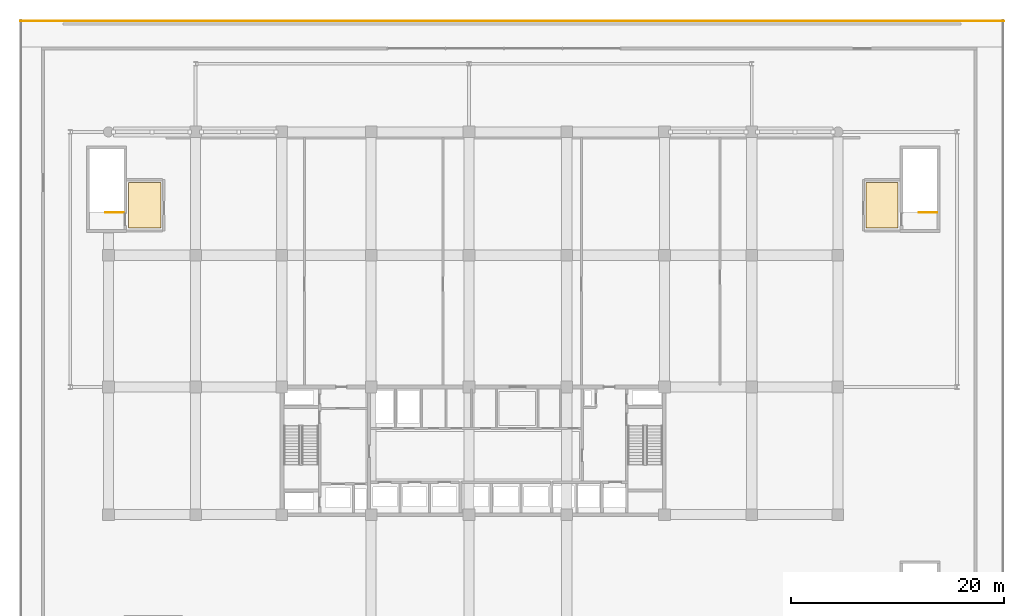
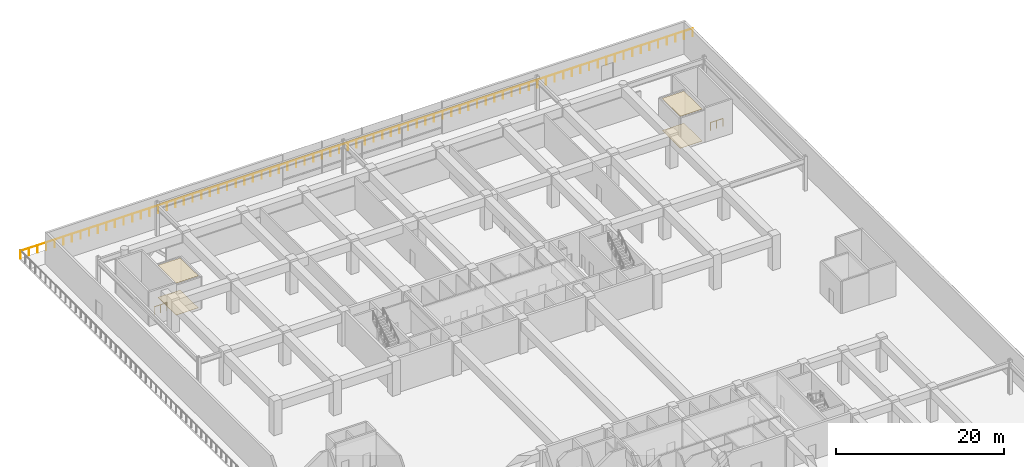
# One storey, part 38 of 38: 4 coverings, 3 railings.
"""IFC4 building model written with IfcOpenShell, lengths in metres."""

from ifc_helpers import new_model, si_unit, direction, frame, origin, origin_2d, place, context, subcontext, project, spatial, polyline, circle, outline, extrude, material, layer, layer_set, type_object, element, save


model = new_model("IFC4")

# Units and contexts
model_context = context("Model", 3, precision=1e-05, world=origin(), true_north=direction((0.0, 1.0)))
body_context = subcontext(model_context, "Body", "Model", "MODEL_VIEW")
ifc_project = project(units=[si_unit("LENGTHUNIT", "METRE"), si_unit("AREAUNIT", "SQUARE_METRE"), si_unit("VOLUMEUNIT", "CUBIC_METRE"), si_unit("PLANEANGLEUNIT", "RADIAN"), si_unit("MASSUNIT", "GRAM", prefix="KILO")], contexts=[model_context])

# Site, building, storey
site_placement = place(None, origin())
site = spatial("IfcSite", under=ifc_project, at=site_placement, CompositionType="ELEMENT")
building_placement = place(site_placement, origin())
building = spatial("IfcBuilding", under=site, at=building_placement, Name="Korimba Cascade Residences", CompositionType="ELEMENT")
storey_placement = place(building_placement, frame((0.0, 0.0, 19.0)))
storey = spatial("IfcBuildingStorey", under=building, at=storey_placement, Name="L04", CompositionType="ELEMENT", Elevation=19.0)

# Coverings
ifc_material_1 = material(Name="Perforated Acoustic Gypsum Ceiling", Category="gypsum")
ifc_layer_1 = layer(ifc_material_1, 0.02490234375)
ifc_layer_set_1 = layer_set([ifc_layer_1], Name="Perforated Acoustic Gypsum Ceiling")
covering_type_1 = type_object("IfcCoveringType", Name="COV-CLG-AC", PredefinedType="CEILING", material=ifc_layer_set_1)
covering_1_placement = place(storey_placement, frame((0.0, 0.0, 4.655029296875)))
element("IfcCovering", 1, at=covering_1_placement, inside=storey, type_object=covering_type_1, Name="L04 Suspended Acoustic Ceiling L04-PL4", PredefinedType="CEILING", context=body_context, shape_type="SweptSolid", body=[
    extrude(outline(polyline([(131.050048828125, 82.14990234375), (134.050048828125, 82.14990234375), (134.050048828125, 86.449951171875), (131.050048828125, 86.449951171875), (131.050048828125, 82.14990234375)])), origin(), (0.0, 0.0, 1.0), 0.02490234375),
])
covering_2_placement = place(storey_placement, frame((0.0, 0.0, 4.655029296875)))
element("IfcCovering", 2, at=covering_2_placement, inside=storey, type_object=covering_type_1, Name="L04 Suspended Acoustic Ceiling L04-PL5", PredefinedType="CEILING", context=body_context, shape_type="SweptSolid", body=[
    extrude(outline(polyline([(61.669921875, 82.14990234375), (64.75, 82.14990234375), (64.75, 86.449951171875), (61.669921875, 86.449951171875), (61.669921875, 82.14990234375)])), origin(), (0.0, 0.0, 1.0), 0.02490234375),
])
ifc_material_2 = material(Name="Honed Travertine Stone Flooring", Category="masonry")
ifc_layer_2 = layer(ifc_material_2, 0.02490234375)
ifc_layer_set_2 = layer_set([ifc_layer_2], Name="Honed Travertine Stone Flooring")
covering_type_2 = type_object("IfcCoveringType", Name="COV-FLR-STN", PredefinedType="FLOORING", material=ifc_layer_set_2)
covering_3_placement = place(storey_placement, origin())
element("IfcCovering", 3, at=covering_3_placement, inside=storey, type_object=covering_type_2, Name="L04 Honed Travertine Stone Flooring L04-PL4", PredefinedType="FLOORING", context=body_context, shape_type="SweptSolid", body=[
    extrude(outline(polyline([(131.050048828125, 82.14990234375), (134.050048828125, 82.14990234375), (134.050048828125, 86.449951171875), (131.050048828125, 86.449951171875), (131.050048828125, 82.14990234375)])), origin(), (0.0, 0.0, 1.0), 0.02490234375),
])
covering_4_placement = place(storey_placement, origin())
element("IfcCovering", 4, at=covering_4_placement, inside=storey, type_object=covering_type_2, Name="L04 Honed Travertine Stone Flooring L04-PL5", PredefinedType="FLOORING", context=body_context, shape_type="SweptSolid", body=[
    extrude(outline(polyline([(61.669921875, 82.14990234375), (64.75, 82.14990234375), (64.75, 86.449951171875), (61.669921875, 86.449951171875), (61.669921875, 82.14990234375)])), origin(), (0.0, 0.0, 1.0), 0.02490234375),
])

# Railings
ifc_material_3 = material(Name="Painted Steel Stairwell Guardrail", Category="steel")
railing_type_1 = type_object("IfcRailingType", Name="RLG-ST-GD1150", PredefinedType="GUARDRAIL", material=ifc_material_3)
for number, where, name in (
    (5, (137.739990234375, 83.60009765625, 0.0), "L04 ST-P4 top well guard 1"),
    (6, (61.239990234375, 83.60009765625, 0.0), "L04 ST-P5 top well guard 1"),
):
    element("IfcRailing", number, at=place(storey_placement, frame(where)), inside=storey, type_object=railing_type_1, Name=name, PredefinedType="GUARDRAIL", context=body_context, shape_type="SweptSolid", body=[
        extrude(circle(Radius=0.02392578125, at=origin_2d()), frame((0.0, 0.0, 1.1259765625), z_axis=(-1.0, 0.0, 0.0), x_axis=(0.0, -1.0, 0.0)), (0.0, 0.0, 1.0), 1.719970703125),
        extrude(circle(Radius=0.02099609375, at=origin_2d()), origin(), (0.0, 0.0, 1.0), 1.101806640625),
        extrude(circle(Radius=0.02099609375, at=origin_2d()), frame((-0.85986328125, 0.0, 0.0)), (0.0, 0.0, 1.0), 1.101806640625),
        extrude(circle(Radius=0.02099609375, at=origin_2d()), frame((-1.719970703125, 0.0, 0.0)), (0.0, 0.0, 1.0), 1.101806640625),
    ])
ifc_material_4 = material(Name="Painted Galvanised Steel Terrace Guardrail", Category="steel")
railing_type_2 = type_object("IfcRailingType", Name="RLG-TER-1150", PredefinedType="GUARDRAIL", material=ifc_material_4)
railing_placement = place(storey_placement, frame((144.0, 101.6201171875, 0.0)))
element("IfcRailing", 7, at=railing_placement, inside=storey, type_object=railing_type_2, Name="L04 Perimeter Guardrail RLG-L04-TER-03", PredefinedType="GUARDRAIL", context=body_context, shape_type="SweptSolid", body=[
    extrude(circle(Radius=0.02392578125, at=origin_2d()), frame((0.0, 0.0, 1.1259765625), z_axis=(-1.0, 0.0, 0.0), x_axis=(0.0, -1.0, 0.0)), (0.0, 0.0, 1.0), 92.5),
    extrude(circle(Radius=0.02099609375, at=origin_2d()), origin(), (0.0, 0.0, 1.0), 1.101806640625),
    extrude(circle(Radius=0.02099609375, at=origin_2d()), frame((-1.185791015625, 0.0, 0.0)), (0.0, 0.0, 1.0), 1.101806640625),
    extrude(circle(Radius=0.02099609375, at=origin_2d()), frame((-2.371826171875, 0.0, 0.0)), (0.0, 0.0, 1.0), 1.101806640625),
    extrude(circle(Radius=0.02099609375, at=origin_2d()), frame((-3.5576171875, 0.0, 0.0)), (0.0, 0.0, 1.0), 1.101806640625),
    extrude(circle(Radius=0.02099609375, at=origin_2d()), frame((-4.74365234375, 0.0, 0.0)), (0.0, 0.0, 1.0), 1.101806640625),
    extrude(circle(Radius=0.02099609375, at=origin_2d()), frame((-5.929443359375, 0.0, 0.0)), (0.0, 0.0, 1.0), 1.101806640625),
    extrude(circle(Radius=0.02099609375, at=origin_2d()), frame((-7.115478515625, 0.0, 0.0)), (0.0, 0.0, 1.0), 1.101806640625),
    extrude(circle(Radius=0.02099609375, at=origin_2d()), frame((-8.30126953125, 0.0, 0.0)), (0.0, 0.0, 1.0), 1.101806640625),
    extrude(circle(Radius=0.02099609375, at=origin_2d()), frame((-9.487060546875, 0.0, 0.0)), (0.0, 0.0, 1.0), 1.101806640625),
    extrude(circle(Radius=0.02099609375, at=origin_2d()), frame((-10.673095703125, 0.0, 0.0)), (0.0, 0.0, 1.0), 1.101806640625),
    extrude(circle(Radius=0.02099609375, at=origin_2d()), frame((-11.85888671875, 0.0, 0.0)), (0.0, 0.0, 1.0), 1.101806640625),
    extrude(circle(Radius=0.02099609375, at=origin_2d()), frame((-13.044921875, 0.0, 0.0)), (0.0, 0.0, 1.0), 1.101806640625),
    extrude(circle(Radius=0.02099609375, at=origin_2d()), frame((-14.230712890625, 0.0, 0.0)), (0.0, 0.0, 1.0), 1.101806640625),
    extrude(circle(Radius=0.02099609375, at=origin_2d()), frame((-15.416748046875, 0.0, 0.0)), (0.0, 0.0, 1.0), 1.101806640625),
    extrude(circle(Radius=0.02099609375, at=origin_2d()), frame((-16.6025390625, 0.0, 0.0)), (0.0, 0.0, 1.0), 1.101806640625),
    extrude(circle(Radius=0.02099609375, at=origin_2d()), frame((-17.78857421875, 0.0, 0.0)), (0.0, 0.0, 1.0), 1.101806640625),
    extrude(circle(Radius=0.02099609375, at=origin_2d()), frame((-18.974365234375, 0.0, 0.0)), (0.0, 0.0, 1.0), 1.101806640625),
    extrude(circle(Radius=0.02099609375, at=origin_2d()), frame((-20.16015625, 0.0, 0.0)), (0.0, 0.0, 1.0), 1.101806640625),
    extrude(circle(Radius=0.02099609375, at=origin_2d()), frame((-21.34619140625, 0.0, 0.0)), (0.0, 0.0, 1.0), 1.101806640625),
    extrude(circle(Radius=0.02099609375, at=origin_2d()), frame((-22.531982421875, 0.0, 0.0)), (0.0, 0.0, 1.0), 1.101806640625),
    extrude(circle(Radius=0.02099609375, at=origin_2d()), frame((-23.718017578125, 0.0, 0.0)), (0.0, 0.0, 1.0), 1.101806640625),
    extrude(circle(Radius=0.02099609375, at=origin_2d()), frame((-24.90380859375, 0.0, 0.0)), (0.0, 0.0, 1.0), 1.101806640625),
    extrude(circle(Radius=0.02099609375, at=origin_2d()), frame((-26.08984375, 0.0, 0.0)), (0.0, 0.0, 1.0), 1.101806640625),
    extrude(circle(Radius=0.02099609375, at=origin_2d()), frame((-27.275634765625, 0.0, 0.0)), (0.0, 0.0, 1.0), 1.101806640625),
    extrude(circle(Radius=0.02099609375, at=origin_2d()), frame((-28.46142578125, 0.0, 0.0)), (0.0, 0.0, 1.0), 1.101806640625),
    extrude(circle(Radius=0.02099609375, at=origin_2d()), frame((-29.6474609375, 0.0, 0.0)), (0.0, 0.0, 1.0), 1.101806640625),
    extrude(circle(Radius=0.02099609375, at=origin_2d()), frame((-30.833251953125, 0.0, 0.0)), (0.0, 0.0, 1.0), 1.101806640625),
    extrude(circle(Radius=0.02099609375, at=origin_2d()), frame((-32.019287109375, 0.0, 0.0)), (0.0, 0.0, 1.0), 1.101806640625),
    extrude(circle(Radius=0.02099609375, at=origin_2d()), frame((-33.205078125, 0.0, 0.0)), (0.0, 0.0, 1.0), 1.101806640625),
    extrude(circle(Radius=0.02099609375, at=origin_2d()), frame((-34.39111328125, 0.0, 0.0)), (0.0, 0.0, 1.0), 1.101806640625),
    extrude(circle(Radius=0.02099609375, at=origin_2d()), frame((-35.576904296875, 0.0, 0.0)), (0.0, 0.0, 1.0), 1.101806640625),
    extrude(circle(Radius=0.02099609375, at=origin_2d()), frame((-36.762939453125, 0.0, 0.0)), (0.0, 0.0, 1.0), 1.101806640625),
    extrude(circle(Radius=0.02099609375, at=origin_2d()), frame((-37.94873046875, 0.0, 0.0)), (0.0, 0.0, 1.0), 1.101806640625),
    extrude(circle(Radius=0.02099609375, at=origin_2d()), frame((-39.134521484375, 0.0, 0.0)), (0.0, 0.0, 1.0), 1.101806640625),
    extrude(circle(Radius=0.02099609375, at=origin_2d()), frame((-40.320556640625, 0.0, 0.0)), (0.0, 0.0, 1.0), 1.101806640625),
    extrude(circle(Radius=0.02099609375, at=origin_2d()), frame((-41.50634765625, 0.0, 0.0)), (0.0, 0.0, 1.0), 1.101806640625),
    extrude(circle(Radius=0.02099609375, at=origin_2d()), frame((-42.6923828125, 0.0, 0.0)), (0.0, 0.0, 1.0), 1.101806640625),
    extrude(circle(Radius=0.02099609375, at=origin_2d()), frame((-43.878173828125, 0.0, 0.0)), (0.0, 0.0, 1.0), 1.101806640625),
    extrude(circle(Radius=0.02099609375, at=origin_2d()), frame((-45.064208984375, 0.0, 0.0)), (0.0, 0.0, 1.0), 1.101806640625),
    extrude(circle(Radius=0.02099609375, at=origin_2d()), frame((-46.25, 0.0, 0.0)), (0.0, 0.0, 1.0), 1.101806640625),
    extrude(circle(Radius=0.02099609375, at=origin_2d()), frame((-47.435791015625, 0.0, 0.0)), (0.0, 0.0, 1.0), 1.101806640625),
    extrude(circle(Radius=0.02099609375, at=origin_2d()), frame((-48.621826171875, 0.0, 0.0)), (0.0, 0.0, 1.0), 1.101806640625),
    extrude(circle(Radius=0.02099609375, at=origin_2d()), frame((-49.8076171875, 0.0, 0.0)), (0.0, 0.0, 1.0), 1.101806640625),
    extrude(circle(Radius=0.02099609375, at=origin_2d()), frame((-50.99365234375, 0.0, 0.0)), (0.0, 0.0, 1.0), 1.101806640625),
    extrude(circle(Radius=0.02099609375, at=origin_2d()), frame((-52.179443359375, 0.0, 0.0)), (0.0, 0.0, 1.0), 1.101806640625),
    extrude(circle(Radius=0.02099609375, at=origin_2d()), frame((-53.365478515625, 0.0, 0.0)), (0.0, 0.0, 1.0), 1.101806640625),
    extrude(circle(Radius=0.02099609375, at=origin_2d()), frame((-54.55126953125, 0.0, 0.0)), (0.0, 0.0, 1.0), 1.101806640625),
    extrude(circle(Radius=0.02099609375, at=origin_2d()), frame((-55.737060546875, 0.0, 0.0)), (0.0, 0.0, 1.0), 1.101806640625),
    extrude(circle(Radius=0.02099609375, at=origin_2d()), frame((-56.923095703125, 0.0, 0.0)), (0.0, 0.0, 1.0), 1.101806640625),
    extrude(circle(Radius=0.02099609375, at=origin_2d()), frame((-58.10888671875, 0.0, 0.0)), (0.0, 0.0, 1.0), 1.101806640625),
    extrude(circle(Radius=0.02099609375, at=origin_2d()), frame((-59.294921875, 0.0, 0.0)), (0.0, 0.0, 1.0), 1.101806640625),
    extrude(circle(Radius=0.02099609375, at=origin_2d()), frame((-60.480712890625, 0.0, 0.0)), (0.0, 0.0, 1.0), 1.101806640625),
    extrude(circle(Radius=0.02099609375, at=origin_2d()), frame((-61.666748046875, 0.0, 0.0)), (0.0, 0.0, 1.0), 1.101806640625),
    extrude(circle(Radius=0.02099609375, at=origin_2d()), frame((-62.8525390625, 0.0, 0.0)), (0.0, 0.0, 1.0), 1.101806640625),
    extrude(circle(Radius=0.02099609375, at=origin_2d()), frame((-64.03857421875, 0.0, 0.0)), (0.0, 0.0, 1.0), 1.101806640625),
    extrude(circle(Radius=0.02099609375, at=origin_2d()), frame((-65.224365234375, 0.0, 0.0)), (0.0, 0.0, 1.0), 1.101806640625),
    extrude(circle(Radius=0.02099609375, at=origin_2d()), frame((-66.41015625, 0.0, 0.0)), (0.0, 0.0, 1.0), 1.101806640625),
    extrude(circle(Radius=0.02099609375, at=origin_2d()), frame((-67.59619140625, 0.0, 0.0)), (0.0, 0.0, 1.0), 1.101806640625),
    extrude(circle(Radius=0.02099609375, at=origin_2d()), frame((-68.781982421875, 0.0, 0.0)), (0.0, 0.0, 1.0), 1.101806640625),
    extrude(circle(Radius=0.02099609375, at=origin_2d()), frame((-69.968017578125, 0.0, 0.0)), (0.0, 0.0, 1.0), 1.101806640625),
    extrude(circle(Radius=0.02099609375, at=origin_2d()), frame((-71.15380859375, 0.0, 0.0)), (0.0, 0.0, 1.0), 1.101806640625),
    extrude(circle(Radius=0.02099609375, at=origin_2d()), frame((-72.33984375, 0.0, 0.0)), (0.0, 0.0, 1.0), 1.101806640625),
    extrude(circle(Radius=0.02099609375, at=origin_2d()), frame((-73.525634765625, 0.0, 0.0)), (0.0, 0.0, 1.0), 1.101806640625),
    extrude(circle(Radius=0.02099609375, at=origin_2d()), frame((-74.71142578125, 0.0, 0.0)), (0.0, 0.0, 1.0), 1.101806640625),
    extrude(circle(Radius=0.02099609375, at=origin_2d()), frame((-75.8974609375, 0.0, 0.0)), (0.0, 0.0, 1.0), 1.101806640625),
    extrude(circle(Radius=0.02099609375, at=origin_2d()), frame((-77.083251953125, 0.0, 0.0)), (0.0, 0.0, 1.0), 1.101806640625),
    extrude(circle(Radius=0.02099609375, at=origin_2d()), frame((-78.269287109375, 0.0, 0.0)), (0.0, 0.0, 1.0), 1.101806640625),
    extrude(circle(Radius=0.02099609375, at=origin_2d()), frame((-79.455078125, 0.0, 0.0)), (0.0, 0.0, 1.0), 1.101806640625),
    extrude(circle(Radius=0.02099609375, at=origin_2d()), frame((-80.64111328125, 0.0, 0.0)), (0.0, 0.0, 1.0), 1.101806640625),
    extrude(circle(Radius=0.02099609375, at=origin_2d()), frame((-81.826904296875, 0.0, 0.0)), (0.0, 0.0, 1.0), 1.101806640625),
    extrude(circle(Radius=0.02099609375, at=origin_2d()), frame((-83.012939453125, 0.0, 0.0)), (0.0, 0.0, 1.0), 1.101806640625),
    extrude(circle(Radius=0.02099609375, at=origin_2d()), frame((-84.19873046875, 0.0, 0.0)), (0.0, 0.0, 1.0), 1.101806640625),
    extrude(circle(Radius=0.02099609375, at=origin_2d()), frame((-85.384521484375, 0.0, 0.0)), (0.0, 0.0, 1.0), 1.101806640625),
    extrude(circle(Radius=0.02099609375, at=origin_2d()), frame((-86.570556640625, 0.0, 0.0)), (0.0, 0.0, 1.0), 1.101806640625),
    extrude(circle(Radius=0.02099609375, at=origin_2d()), frame((-87.75634765625, 0.0, 0.0)), (0.0, 0.0, 1.0), 1.101806640625),
    extrude(circle(Radius=0.02099609375, at=origin_2d()), frame((-88.9423828125, 0.0, 0.0)), (0.0, 0.0, 1.0), 1.101806640625),
    extrude(circle(Radius=0.02099609375, at=origin_2d()), frame((-90.128173828125, 0.0, 0.0)), (0.0, 0.0, 1.0), 1.101806640625),
    extrude(circle(Radius=0.02099609375, at=origin_2d()), frame((-91.314208984375, 0.0, 0.0)), (0.0, 0.0, 1.0), 1.101806640625),
    extrude(circle(Radius=0.02099609375, at=origin_2d()), frame((-92.5, 0.0, 0.0)), (0.0, 0.0, 1.0), 1.101806640625),
])

save(model, "model.ifc")
